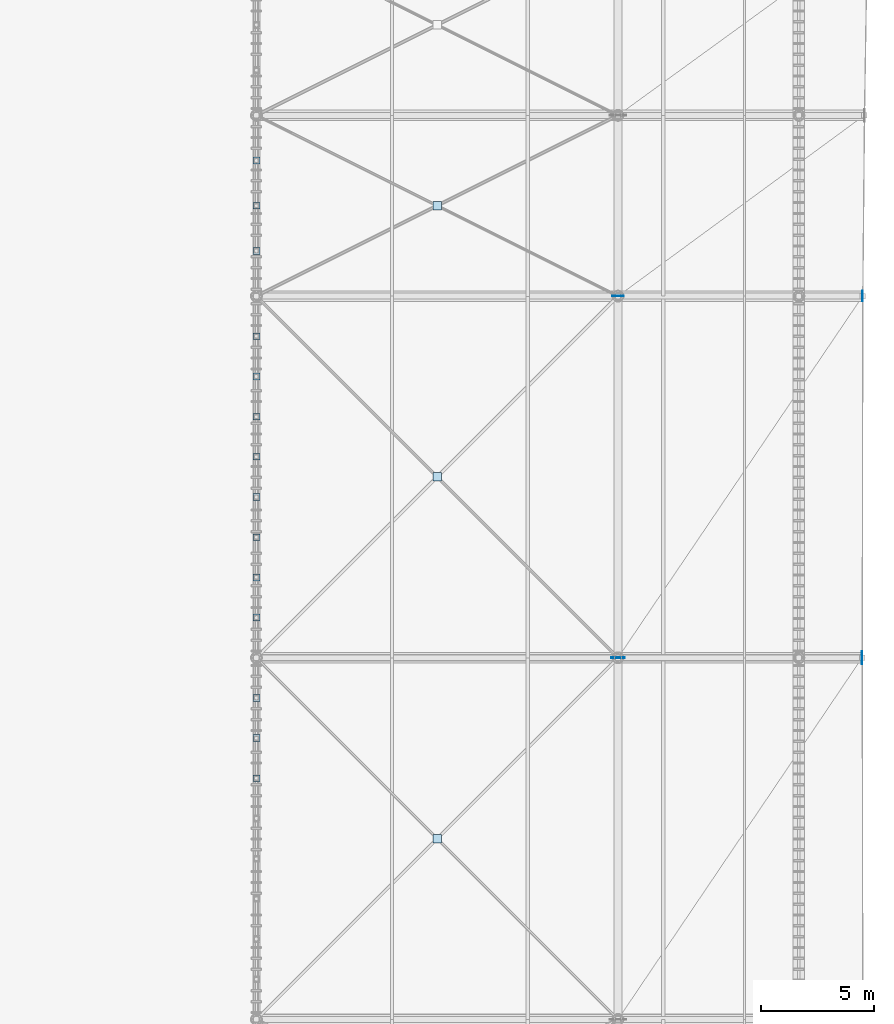
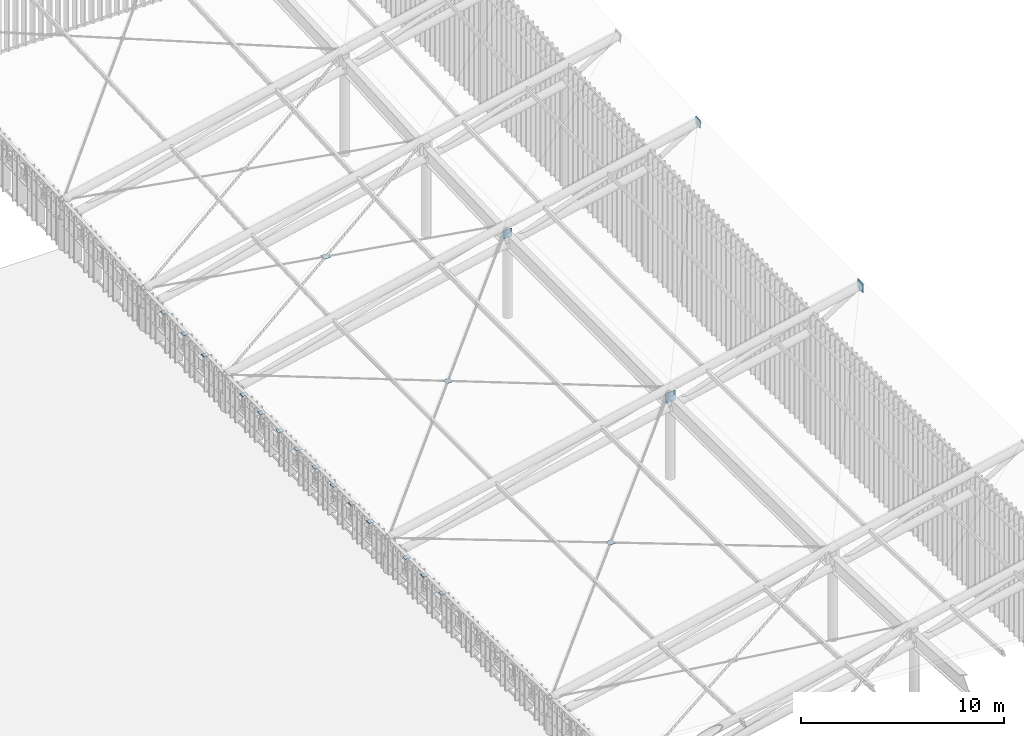
# One storey, part 21 of 25: 21 plates.
"""IFC4 building model written with IfcOpenShell, lengths in metres."""

import ifcopenshell
import ifcopenshell.guid

model = None  # the IFC model being written
_history = None  # IfcOwnerHistory: only IFC2X3 demands one
_inside = {}  # id of a spatial element -> (the spatial element, [elements in it])
_under = {}  # id of a project, library or spatial element -> (it, [spatial elements below it])
_declared = {}  # id of a project -> (the project, [libraries it declares])
_typed = {}  # id of a type object -> (the type object, [elements of that type])
_made_of = {}  # id of a material, layer set ... -> (it, [elements and type objects made of it])


def new_model(schema):
    """Start an empty IFC model of exactly this schema.

    Asked for "IFC4X3", IfcOpenShell would pick the latest addendum, in which some entities
    have other attributes; the version numbers below select the first issue.
    IFC2X3 requires an IfcOwnerHistory on every rooted entity: one is made here for all.
    """
    global model, _history
    if schema == "IFC4X3":
        model = ifcopenshell.file(schema_version=(4, 3, 0, 0))
    else:
        model = ifcopenshell.file(schema=schema)
    _inside.clear()
    _under.clear()
    _declared.clear()
    _typed.clear()
    _made_of.clear()
    _history = None
    if model.schema == "IFC2X3":
        org = make("IfcOrganization", Name="unknown")
        user = make(
            "IfcPersonAndOrganization",
            ThePerson=make("IfcPerson", FamilyName="unknown"),
            TheOrganization=org,
        )
        app = make(
            "IfcApplication",
            ApplicationDeveloper=org,
            Version="unknown",
            ApplicationFullName="unknown",
            ApplicationIdentifier="unknown",
        )
        _history = make(
            "IfcOwnerHistory",
            OwningUser=user,
            OwningApplication=app,
            ChangeAction="ADDED",
            CreationDate=0,
        )
    return model


def make(cls, **values):
    """One entity of the class cls with the attributes given. An attribute that is None is left unset."""
    return model.create_entity(
        cls, **{name: value for name, value in values.items() if value is not None}
    )


def rooted(cls, **values):
    """An entity with a GlobalId (a new one), such as an element, a storey or a relation."""
    return make(cls, GlobalId=ifcopenshell.guid.new(), OwnerHistory=_history, **values)


def si_unit(unit_type, name, prefix=None):
    """IfcSIUnit, for example si_unit("LENGTHUNIT", "METRE", prefix="MILLI")."""
    return make("IfcSIUnit", UnitType=unit_type, Prefix=prefix, Name=name)


def assignment(units):
    """IfcUnitAssignment: the units of a project."""
    return None if units is None else make("IfcUnitAssignment", Units=units)


def point(xyz):
    """IfcCartesianPoint."""
    return None if xyz is None else make("IfcCartesianPoint", Coordinates=xyz)


def direction(xyz):
    """IfcDirection."""
    return None if xyz is None else make("IfcDirection", DirectionRatios=xyz)


def frame(location, z_axis=None, x_axis=None):
    """IfcAxis2Placement3D, a coordinate frame: its origin and axes. An axis left out is left unset."""
    return make(
        "IfcAxis2Placement3D",
        Location=point(location),
        Axis=direction(z_axis),
        RefDirection=direction(x_axis),
    )


def frame_2d(location, x_axis=None):
    """IfcAxis2Placement2D, a coordinate frame in the plane: its origin and x axis."""
    return make(
        "IfcAxis2Placement2D", Location=point(location), RefDirection=direction(x_axis)
    )


def origin():
    """The frame at (0, 0, 0) with its axes left unset."""
    return frame((0.0, 0.0, 0.0))


def origin_2d():
    """The frame at (0, 0) in the plane with its x axis left unset."""
    return frame_2d((0.0, 0.0))


def place(relative_to, where):
    """IfcLocalPlacement: puts the frame where relative to a parent placement (None: the world)."""
    return make(
        "IfcLocalPlacement", PlacementRelTo=relative_to, RelativePlacement=where
    )


def context(
    kind, dimensions, precision=None, world=None, true_north=None, identifier=None
):
    """IfcGeometricRepresentationContext, for example the 3D "Model" context."""
    return make(
        "IfcGeometricRepresentationContext",
        ContextIdentifier=identifier,
        ContextType=kind,
        CoordinateSpaceDimension=dimensions,
        Precision=precision,
        WorldCoordinateSystem=world,
        TrueNorth=true_north,
    )


def subcontext(parent, identifier, kind, view, scale=None):
    """IfcGeometricRepresentationSubContext, for example "Body" below "Model"."""
    return make(
        "IfcGeometricRepresentationSubContext",
        ContextIdentifier=identifier,
        ContextType=kind,
        ParentContext=parent,
        TargetScale=scale,
        TargetView=view,
    )


def project(units=None, contexts=None):
    """IfcProject with its units and contexts."""
    return rooted(
        "IfcProject",
        Name="project",
        RepresentationContexts=contexts,
        UnitsInContext=assignment(units),
    )


def spatial(cls, under=None, at=None, **own):
    """A site, building, storey or space (cls), placed at a placement, below another one or the project."""
    s = rooted(cls, ObjectPlacement=at, **own)
    if under is not None:
        _under.setdefault(under.id(), (under, []))[1].append(s)
    return s


def profile(cls, at=None, kind="AREA", **sizes):
    """A parametric profile (cls). Its sizes go by their IFC names, for example OverallWidth=200.0."""
    return make(cls, ProfileType=kind, Position=at, **sizes)


def rectangle(**sizes):
    """IfcRectangleProfileDef."""
    return profile("IfcRectangleProfileDef", **sizes)


def extrude(swept, where, along, depth):
    """IfcExtrudedAreaSolid: the profile swept, set in the frame where, extruded along a direction by depth."""
    return make(
        "IfcExtrudedAreaSolid",
        SweptArea=swept,
        Position=where,
        ExtrudedDirection=direction(along),
        Depth=depth,
    )


def shape(context_of_items, identifier, shape_type, items):
    """IfcShapeRepresentation: the items that make up one representation, for example the "Body"."""
    return make(
        "IfcShapeRepresentation",
        ContextOfItems=context_of_items,
        RepresentationIdentifier=identifier,
        RepresentationType=shape_type,
        Items=items,
    )


def material(Name=None, Category=None):
    """IfcMaterial."""
    return make("IfcMaterial", Name=Name, Category=Category)


def layer(
    of_material, thickness, ventilated=None, Name=None, Category=None, Priority=None
):
    """IfcMaterialLayer: one layer of a wall or slab, of a material (None: an air gap)."""
    return make(
        "IfcMaterialLayer",
        Material=of_material,
        LayerThickness=thickness,
        IsVentilated=ventilated,
        Name=Name,
        Category=Category,
        Priority=Priority,
    )


def layer_set(layers, Name=None):
    """IfcMaterialLayerSet."""
    return make("IfcMaterialLayerSet", MaterialLayers=layers, LayerSetName=Name)


def made_of(thing, what):
    """Note that an element or type object is made of a material, layer set ...; save() writes the relation."""
    if what is not None:
        _made_of.setdefault(what.id(), (what, []))[1].append(thing)
    return thing


def type_object(cls, material=None, **own):
    """A type object (cls), such as IfcWallType, which elements share."""
    return made_of(rooted(cls, **own), material)


def element(
    cls,
    number,
    at=None,
    inside=None,
    cuts=None,
    type_object=None,
    material=None,
    context=None,
    identifier="Body",
    shape_type=None,
    held_by="IfcProductDefinitionShape",
    body=None,
    shapes=None,
    **own,
):
    """One element of the class cls, such as IfcWall. Its Tag is "e" and its number.

    at: its placement. inside: the storey or other place that contains it. cuts: it is an
    opening in that element (IfcRelVoidsElement). A single representation is given by context,
    identifier, shape_type and body (its items); several are given by shapes. held_by: the class
    of the entity that holds the representations. save() writes the other relations.
    """
    e = rooted(cls, Tag="e%d" % number, ObjectPlacement=at, **own)
    if body is not None:
        shapes = [shape(context, identifier, shape_type, body)]
    if shapes is not None:
        e.Representation = make(held_by, Representations=shapes)
    if inside is not None:
        _inside.setdefault(inside.id(), (inside, []))[1].append(e)
    if cuts is not None:
        rooted(
            "IfcRelVoidsElement", RelatingBuildingElement=cuts, RelatedOpeningElement=e
        )
    if type_object is not None:
        _typed.setdefault(type_object.id(), (type_object, []))[1].append(e)
    return made_of(e, material)


def aggregate(whole, parts):
    """IfcRelAggregates: a whole, such as a stair, and the parts it consists of."""
    return rooted("IfcRelAggregates", RelatingObject=whole, RelatedObjects=parts)


def save(model, path):
    """Write the relations noted so far, then the file.

    IfcRelAggregates (storeys below a building ...), IfcRelContainedInSpatialStructure (elements
    in a storey), IfcRelDefinesByType, IfcRelAssociatesMaterial and IfcRelDeclares: one each for
    every whole, place, type object, material and project.
    """
    for whole, parts in _under.values():
        aggregate(whole, parts)
    for where, things in _inside.values():
        rooted(
            "IfcRelContainedInSpatialStructure",
            RelatedElements=things,
            RelatingStructure=where,
        )
    for kind, things in _typed.values():
        rooted("IfcRelDefinesByType", RelatedObjects=things, RelatingType=kind)
    for what, things in _made_of.values():
        rooted("IfcRelAssociatesMaterial", RelatedObjects=things, RelatingMaterial=what)
    for by, libraries in _declared.values():
        rooted("IfcRelDeclares", RelatingContext=by, RelatedDefinitions=libraries)
    model.write(path)


model = new_model("IFC4")

# Units and contexts
model_context = context("Model", 3, precision=1e-05, world=origin(), true_north=direction((0.0, 1.0)))
body_context = subcontext(model_context, "Body", "Model", "MODEL_VIEW")
ifc_project = project(units=[si_unit("LENGTHUNIT", "METRE"), si_unit("AREAUNIT", "SQUARE_METRE"), si_unit("VOLUMEUNIT", "CUBIC_METRE"), si_unit("PLANEANGLEUNIT", "RADIAN"), si_unit("MASSUNIT", "GRAM", prefix="KILO")], contexts=[model_context])

# Site, building, storey
site_placement = place(None, origin())
site = spatial("IfcSite", under=ifc_project, at=site_placement, CompositionType="ELEMENT")
building_placement = place(site_placement, origin())
building = spatial("IfcBuilding", under=site, at=building_placement, Name="Haebicheon Civic Stadium", CompositionType="ELEMENT")
storey_placement = place(building_placement, frame((0.0, 0.0, 31.199951171875)))
storey = spatial("IfcBuildingStorey", under=building, at=storey_placement, Name="RF", CompositionType="ELEMENT", Elevation=31.199951171875)

# Plates
ifc_material_1 = material(Name="White painted steel SM490", Category="steel")
ifc_layer_1 = layer(ifc_material_1, 0.013916015625, Name="White painted steel SM490")
ifc_layer_set_1 = layer_set([ifc_layer_1], Name="White painted steel SM490")
plate_type_1 = type_object("IfcPlateType", Name="PLT-CAP-14", PredefinedType="SHEET", material=ifc_layer_set_1)
for number, where, z_axis, x_axis, name in (
    (1, (48.0, 82.6669921875, 1.90625), (0.0, 0.0, 1.0), (1.0, 0.0, 0.0), "CAN-WEST hanger clevis cap plate 4.6"),
    (2, (48.0, 84.444091796875, 1.89501953125), (0.0, 0.0, 1.0), (1.0, 0.0, 0.0), "CAN-WEST hanger clevis cap plate 4.7"),
    (3, (48.0, 86.221923828125, 1.88525390625), (0.0, 0.0, 1.0), (1.0, 0.0, 0.0), "CAN-WEST hanger clevis cap plate 4.8"),
    (4, (48.0, 89.778076171875, 1.88525390625), (0.0, 0.0, 1.0), (1.0, 0.0, 0.0), "CAN-WEST hanger clevis cap plate 5.1"),
    (5, (48.0, 91.555908203125, 1.89501953125), (0.0, 0.0, 1.0), (1.0, 0.0, 0.0), "CAN-WEST hanger clevis cap plate 5.2"),
    (6, (48.0, 93.3330078125, 1.90625), (0.0, 0.0, 1.0), (1.0, 0.0, 0.0), "CAN-WEST hanger clevis cap plate 5.3"),
    (7, (48.0, 95.111083984375, 1.9169921875), (0.0, 0.0, 1.0), (1.0, 0.0, 0.0), "CAN-WEST hanger clevis cap plate 5.4"),
    (8, (48.0, 96.888916015625, 1.92724609375), (0.0, 0.0, 1.0), (1.0, 0.0, 0.0), "CAN-WEST hanger clevis cap plate 5.5"),
    (9, (48.0, 98.6669921875, 1.93798828125), (0.0, 0.0, 1.0), (1.0, 0.0, 0.0), "CAN-WEST hanger clevis cap plate 5.6"),
    (10, (48.0, 100.444091796875, 1.94921875), (0.0, 0.0, 1.0), (1.0, 0.0, 0.0), "CAN-WEST hanger clevis cap plate 5.7"),
    (11, (48.0, 102.221923828125, 1.958984375), (0.0, 0.0, 1.0), (1.0, 0.0, 0.0), "CAN-WEST hanger clevis cap plate 5.8"),
    (12, (48.0, 106.0, 2.0419921875), (0.0, 0.0, 1.0), (1.0, 0.0, 0.0), "CAN-WEST hanger clevis cap plate 6.1"),
    (13, (48.0, 108.0, 2.115234375), (0.0, 0.0, 1.0), (1.0, 0.0, 0.0), "CAN-WEST hanger clevis cap plate 6.2"),
    (14, (48.0, 110.0, 2.18701171875), (0.0, 0.0, 1.0), (1.0, 0.0, 0.0), "CAN-WEST hanger clevis cap plate 6.3"),
):
    element("IfcPlate", number, at=place(storey_placement, frame(where, z_axis=z_axis, x_axis=x_axis)), inside=storey, type_object=plate_type_1, material=ifc_layer_set_1, Name=name, PredefinedType="SHEET", context=body_context, shape_type="SweptSolid", body=[
        extrude(rectangle(XDim=0.300048828125, YDim=0.300048828125, at=origin_2d()), origin(), (0.0, 0.0, 1.0), 0.013916015625),
    ])
ifc_material_2 = material(Name="White painted steel SM490", Category="steel")
ifc_layer_2 = layer(ifc_material_2, 0.02001953125, Name="White painted steel SM490")
ifc_layer_set_2 = layer_set([ifc_layer_2], Name="White painted steel SM490")
plate_type_2 = type_object("IfcPlateType", Name="PLT-CAP-20", PredefinedType="SHEET", material=ifc_layer_set_2)
plate_1_placement = place(storey_placement, frame((74.824951171875, 104.0, 7.614013671875), z_axis=(0.0, 0.0, 1.0), x_axis=(0.0, 1.0, 0.0)))
element("IfcPlate", 15, at=plate_1_placement, inside=storey, type_object=plate_type_2, material=ifc_layer_set_2, Name="CAN-WEST tip end-cap plate 6", PredefinedType="SHEET", context=body_context, shape_type="SweptSolid", body=[
    extrude(rectangle(XDim=0.4599609375, YDim=0.02001953125, at=origin_2d()), origin(), (0.0, 0.0, 1.0), 0.4599609375),
])
ifc_material_3 = material(Name="White painted steel SM490", Category="steel")
ifc_layer_3 = layer(ifc_material_3, 0.02587890625, Name="White painted steel SM490")
ifc_layer_set_3 = layer_set([ifc_layer_3], Name="White painted steel SM490")
plate_type_3 = type_object("IfcPlateType", Name="PLT-CAP-26", PredefinedType="SHEET", material=ifc_layer_set_3)
plate_2_placement = place(storey_placement, frame((74.800048828125, 88.0, 7.463134765625), z_axis=(0.0, 0.0, 1.0), x_axis=(0.0, 1.0, 0.0)))
element("IfcPlate", 16, at=plate_2_placement, inside=storey, type_object=plate_type_3, material=ifc_layer_set_3, Name="CAN-WEST tip end-cap plate 5", PredefinedType="SHEET", context=body_context, shape_type="SweptSolid", body=[
    extrude(rectangle(XDim=0.56005859375, YDim=0.02587890625, at=origin_2d()), origin(), (0.0, 0.0, 1.0), 0.56005859375),
])
ifc_material_4 = material(Name="White painted steel SM490", Category="steel")
ifc_layer_4 = layer(ifc_material_4, 0.01806640625, Name="White painted steel SM490")
ifc_layer_set_4 = layer_set([ifc_layer_4], Name="White painted steel SM490")
plate_type_4 = type_object("IfcPlateType", Name="PLT-GUS-18", PredefinedType="USERDEFINED", material=ifc_layer_set_4)
plate_3_placement = place(storey_placement, frame((64.0, 104.0, 4.692138671875), z_axis=(0.0, 0.0, 1.0), x_axis=(1.0, 0.0, 0.0)))
element("IfcPlate", 17, at=plate_3_placement, inside=storey, type_object=plate_type_4, material=ifc_layer_set_4, Name="CAN-WEST heel node gusset plate KN-T06", ObjectType="GUSSET PLATE", PredefinedType="USERDEFINED", context=body_context, shape_type="SweptSolid", body=[
    extrude(rectangle(XDim=0.5, YDim=0.01806640625, at=origin_2d()), origin(), (0.0, 0.0, 1.0), 0.5),
])
ifc_material_5 = material(Name="White painted steel SM490", Category="steel")
ifc_layer_5 = layer(ifc_material_5, 0.02392578125, Name="White painted steel SM490")
ifc_layer_set_5 = layer_set([ifc_layer_5], Name="White painted steel SM490")
plate_type_5 = type_object("IfcPlateType", Name="PLT-GUS-24", PredefinedType="USERDEFINED", material=ifc_layer_set_5)
plate_4_placement = place(storey_placement, frame((64.0, 88.0, 4.5458984375), z_axis=(0.0, 0.0, 1.0), x_axis=(1.0, 0.0, 0.0)))
element("IfcPlate", 18, at=plate_4_placement, inside=storey, type_object=plate_type_5, material=ifc_layer_set_5, Name="CAN-WEST heel node gusset plate KN-T05", ObjectType="GUSSET PLATE", PredefinedType="USERDEFINED", context=body_context, shape_type="SweptSolid", body=[
    extrude(rectangle(XDim=0.60009765625, YDim=0.02392578125, at=origin_2d()), origin(), (0.0, 0.0, 1.0), 0.60009765625),
])
ifc_material_6 = material(Name="White painted steel SM490", Category="steel")
ifc_layer_6 = layer(ifc_material_6, 0.013916015625, Name="White painted steel SM490")
ifc_layer_set_6 = layer_set([ifc_layer_6], Name="White painted steel SM490")
plate_type_6 = type_object("IfcPlateType", Name="PLT-XND-14", PredefinedType="SHEET", material=ifc_layer_set_6)
for number, where, z_axis, x_axis, name in (
    (19, (56.0, 80.0, 3.7421875), (0.0, 0.0, 1.0), (1.0, 0.0, 0.0), "CAN-WEST X-brace crossing gusset plate 4"),
    (20, (56.0, 96.0, 3.7421875), (0.0, 0.0, 1.0), (1.0, 0.0, 0.0), "CAN-WEST X-brace crossing gusset plate 5"),
    (21, (56.0, 108.0, 3.93505859375), (0.0, 0.0, 1.0), (1.0, 0.0, 0.0), "CAN-WEST X-brace crossing gusset plate 6"),
):
    element("IfcPlate", number, at=place(storey_placement, frame(where, z_axis=z_axis, x_axis=x_axis)), inside=storey, type_object=plate_type_6, material=ifc_layer_set_6, Name=name, PredefinedType="SHEET", context=body_context, shape_type="SweptSolid", body=[
        extrude(rectangle(XDim=0.3798828125, YDim=0.3798828125, at=origin_2d()), origin(), (0.0, 0.0, 1.0), 0.013916015625),
    ])

save(model, "model.ifc")
